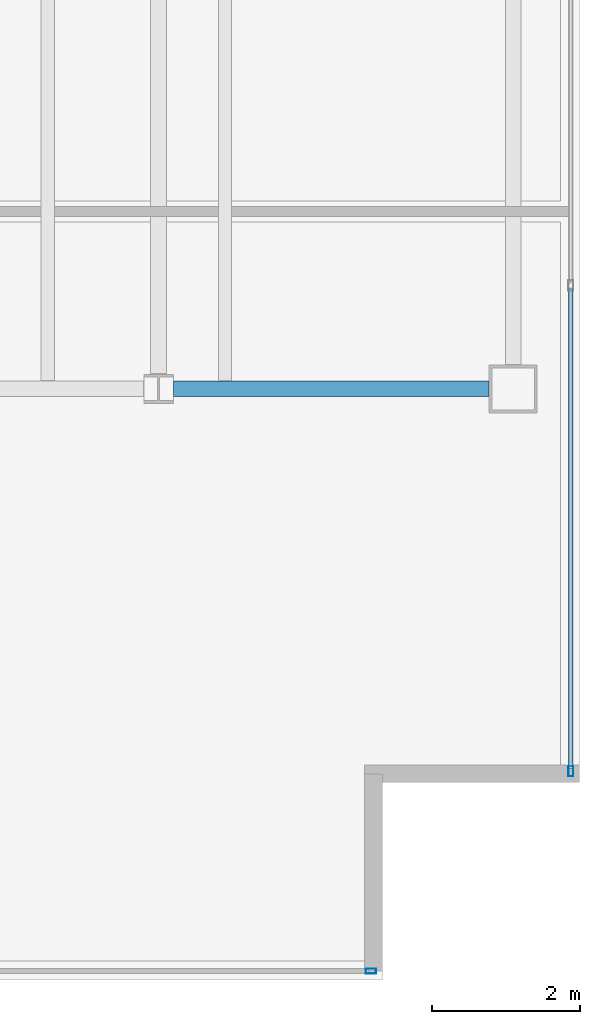
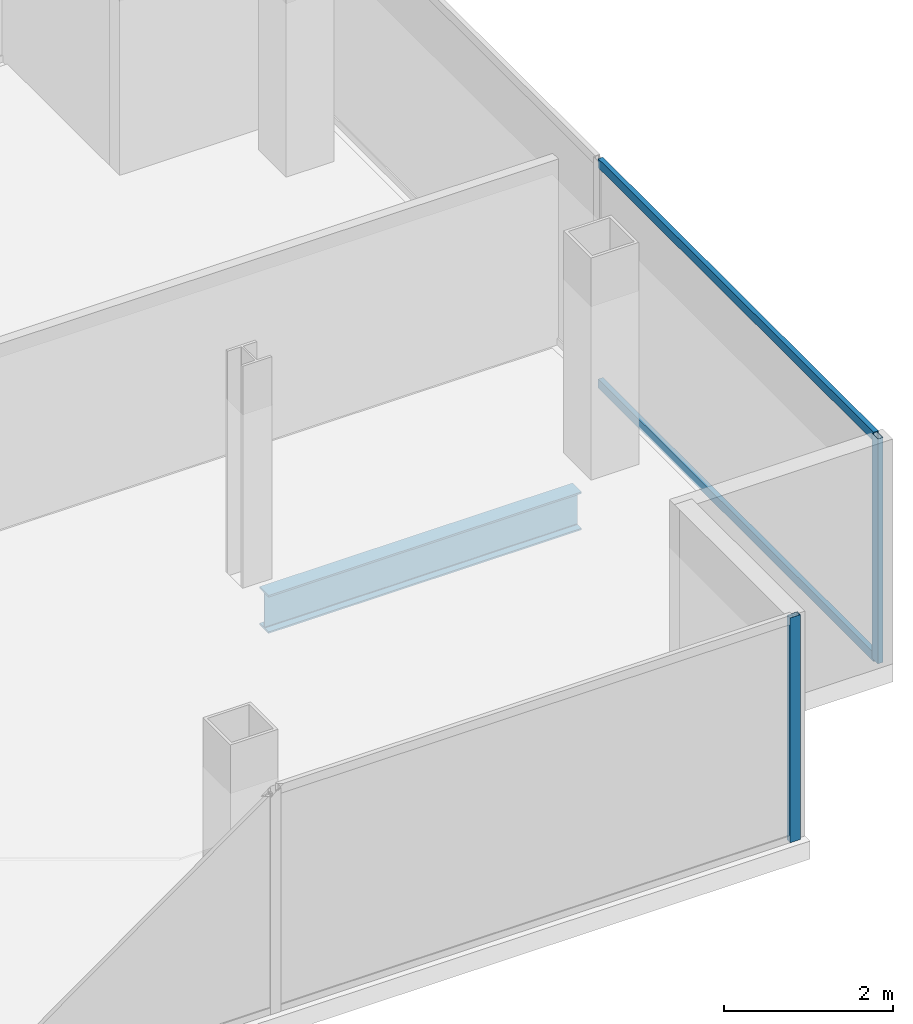
# One storey, part 14 of 23: 4 members, 1 beam, 2 elements without a shape of their own.
"""IFC4 building model written with IfcOpenShell, lengths in metres."""

from ifc_helpers import new_model, si_unit, direction, frame, origin, origin_2d, place, context, subcontext, project, spatial, hollow_rectangle, i_section, extrude, material, material_profile, profile_set, type_object, element, aggregate, save


model = new_model("IFC4")

# Units and contexts
model_context = context("Model", 3, precision=1e-05, world=origin(), true_north=direction((0.0, 1.0)))
body_context = subcontext(model_context, "Body", "Model", "MODEL_VIEW")
ifc_project = project(units=[si_unit("LENGTHUNIT", "METRE"), si_unit("AREAUNIT", "SQUARE_METRE"), si_unit("VOLUMEUNIT", "CUBIC_METRE"), si_unit("PLANEANGLEUNIT", "RADIAN"), si_unit("MASSUNIT", "GRAM", prefix="KILO")], contexts=[model_context])

# Site, building, storey
site_placement = place(None, origin())
site = spatial("IfcSite", under=ifc_project, at=site_placement, CompositionType="ELEMENT")
building_placement = place(site_placement, origin())
building = spatial("IfcBuilding", under=site, at=building_placement, Name="Cobrela Telecom Tower", CompositionType="ELEMENT")
storey_placement = place(building_placement, frame((0.0, 0.0, 279.64990234375)))
storey = spatial("IfcBuildingStorey", under=building, at=storey_placement, Name="L73", CompositionType="ELEMENT", Elevation=279.64990234375)

# Beam
ifc_material_1 = material(Name="Steel ASTM A992 Grade 50", Category="steel")
ifc_material_profile_1 = material_profile(ifc_material_1, i_section(OverallWidth=0.212890625, OverallDepth=0.549072265625, WebThickness=0.0146484375, FlangeThickness=0.023681640625, FilletRadius=0.013916015625, at=origin_2d()), Name="W21X93")
ifc_profile_set_1 = profile_set([ifc_material_profile_1], Name="Steel ASTM A992 Grade 50")
beam_type = type_object("IfcBeamType", Name="BM-GIRD-08", PredefinedType="USERDEFINED", material=ifc_profile_set_1)
beam_placement = place(storey_placement, frame((40.1044921875, 14.39990234375, -0.534423828125), z_axis=(1.0, 0.0, 0.0), x_axis=(0.0, 1.0, 0.0)))
element("IfcBeam", 1, at=beam_placement, inside=storey, type_object=beam_type, Name="L73 Primary Girder X09", ObjectType="GIRDER", PredefinedType="USERDEFINED", context=body_context, shape_type="SweptSolid", body=[
    extrude(i_section(OverallWidth=0.212890625, OverallDepth=0.549072265625, WebThickness=0.0146484375, FlangeThickness=0.023681640625, FilletRadius=0.013916015625, at=origin_2d()), origin(), (0.0, 0.0, 1.0), 4.265625),
])

# Curtain wall, member
ifc_material_2 = material(Name="Anodized Bronze Aluminium 6063-T6", Category="aluminium")
curtain_wall_type = type_object("IfcCurtainWallType", Name="CW-SYS-OFF-HI", PredefinedType="USERDEFINED", material=ifc_material_2)
curtain_wall_1_placement = place(storey_placement, origin())
curtain_wall_1 = element("IfcCurtainWall", 2, at=curtain_wall_1_placement, inside=storey, type_object=curtain_wall_type, Name="L73 Unitised Bronze Curtain Wall 12", ObjectType="UNITISED CURTAIN WALL", PredefinedType="USERDEFINED")
ifc_material_profile_2 = material_profile(ifc_material_2, hollow_rectangle(XDim=0.070068359375, YDim=0.139892578125, WallThickness=0.00390625, at=origin_2d()), Name="ALU 70x140x4")
ifc_profile_set_2 = profile_set([ifc_material_profile_2], Name="Anodized Bronze Aluminium 6063-T6")
member_type_1 = type_object("IfcMemberType", Name="CW-SYS-OFF-HI-MUL", PredefinedType="MULLION", material=ifc_profile_set_2)
member_1_placement = place(storey_placement, frame((45.47998046875, 9.22509765625, 0.0), z_axis=(0.0, 0.0, 1.0), x_axis=(1.0, 0.0, 0.0)))
member_1 = element("IfcMember", 3, at=member_1_placement, type_object=member_type_1, Name="CW-OFF-HI mullion 3", PredefinedType="MULLION", context=body_context, shape_type="SweptSolid", body=[
    extrude(hollow_rectangle(XDim=0.070068359375, YDim=0.139892578125, WallThickness=0.00390625, at=origin_2d()), origin(), (0.0, 0.0, 1.0), 3.239990234375),
])

curtain_wall_2_placement = place(storey_placement, origin())
curtain_wall_2 = element("IfcCurtainWall", 4, at=curtain_wall_2_placement, inside=storey, type_object=curtain_wall_type, Name="L73 Unitised Bronze Curtain Wall 15", ObjectType="UNITISED CURTAIN WALL", PredefinedType="USERDEFINED")
member_2_placement = place(storey_placement, frame((42.77490234375, 6.52001953125, 0.0), z_axis=(0.0, 0.0, 1.0), x_axis=(0.0, -1.0, 0.0)))
member_2 = element("IfcMember", 5, at=member_2_placement, type_object=member_type_1, Name="CW-OFF-HI mullion 1", PredefinedType="MULLION", context=body_context, shape_type="SweptSolid", body=[
    extrude(hollow_rectangle(XDim=0.070068359375, YDim=0.139892578125, WallThickness=0.00390625, at=origin_2d()), origin(), (0.0, 0.0, 1.0), 3.239990234375),
])
aggregate(curtain_wall_2, [member_2])

# Member
ifc_material_profile_3 = material_profile(ifc_material_2, hollow_rectangle(XDim=0.06494140625, YDim=0.1298828125, WallThickness=0.00390625, at=origin_2d()), Name="ALU 65x130x4")
ifc_profile_set_3 = profile_set([ifc_material_profile_3], Name="Anodized Bronze Aluminium 6063-T6")
member_type_2 = type_object("IfcMemberType", Name="CW-SYS-OFF-HI-TRN", PredefinedType="USERDEFINED", material=ifc_profile_set_3)
member_3_placement = place(storey_placement, frame((45.47998046875, 15.764892578125, 0.03271484375), z_axis=(0.0, -1.0, 0.0), x_axis=(1.0, 0.0, 0.0)))
member_3 = element("IfcMember", 6, at=member_3_placement, type_object=member_type_2, Name="CW-OFF-HI transom 2.1", ObjectType="TRANSOM", PredefinedType="USERDEFINED", context=body_context, shape_type="SweptSolid", body=[
    extrude(hollow_rectangle(XDim=0.06494140625, YDim=0.1298828125, WallThickness=0.00390625, at=origin_2d()), origin(), (0.0, 0.0, 1.0), 6.5048828125),
])

member_4_placement = place(storey_placement, frame((45.47998046875, 15.764892578125, 3.20751953125), z_axis=(0.0, -1.0, 0.0), x_axis=(1.0, 0.0, 0.0)))
member_4 = element("IfcMember", 7, at=member_4_placement, type_object=member_type_2, Name="CW-OFF-HI transom 2.2", ObjectType="TRANSOM", PredefinedType="USERDEFINED", context=body_context, shape_type="SweptSolid", body=[
    extrude(hollow_rectangle(XDim=0.06494140625, YDim=0.1298828125, WallThickness=0.00390625, at=origin_2d()), origin(), (0.0, 0.0, 1.0), 6.5048828125),
])

aggregate(curtain_wall_1, [member_1, member_3, member_4])

save(model, "model.ifc")
